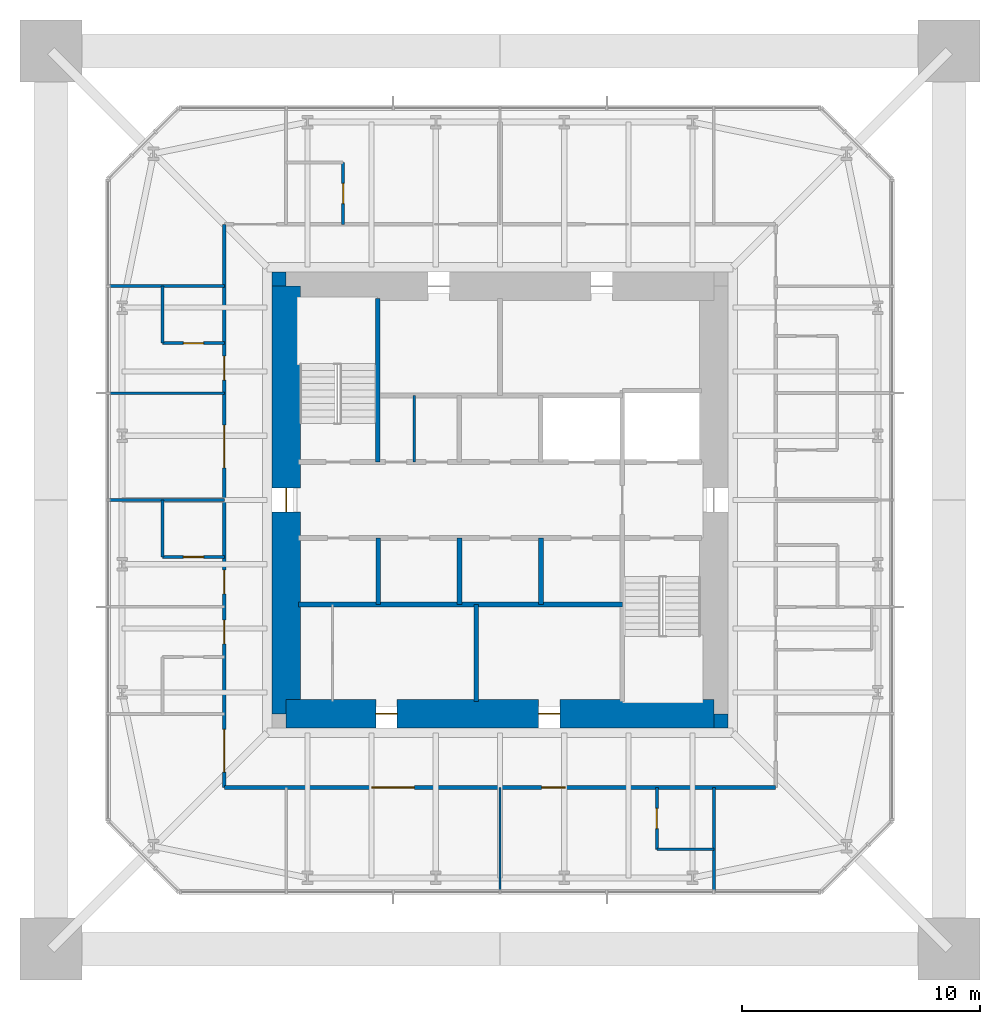
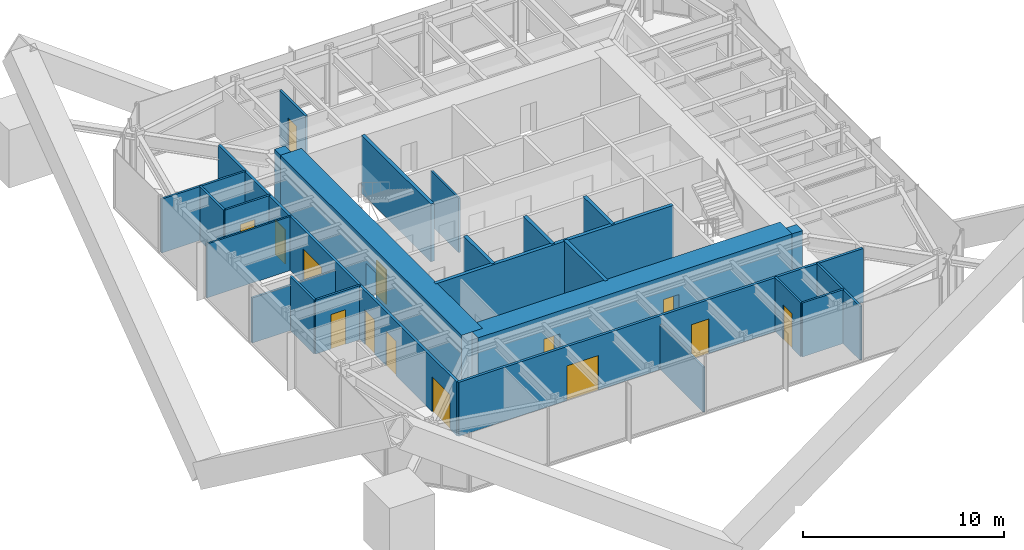
# One storey, part 7 of 10: 25 walls, 14 doors, 14 openings.
"""IFC4 building model written with IfcOpenShell, lengths in metres."""

from ifc_helpers import new_model, si_unit, direction, frame, frame_2d, origin, place, context, subcontext, project, spatial, rectangle, extrude, material, layer, layer_set, type_object, element, fill, save


model = new_model("IFC4")

# Units and contexts
model_context = context("Model", 3, precision=1e-05, world=origin(), true_north=direction((0.0, 1.0)))
body_context = subcontext(model_context, "Body", "Model", "MODEL_VIEW")
ifc_project = project(units=[si_unit("LENGTHUNIT", "METRE"), si_unit("AREAUNIT", "SQUARE_METRE"), si_unit("VOLUMEUNIT", "CUBIC_METRE"), si_unit("PLANEANGLEUNIT", "RADIAN"), si_unit("MASSUNIT", "GRAM", prefix="KILO")], contexts=[model_context])

# Site, building, storey
site_placement = place(None, origin())
site = spatial("IfcSite", under=ifc_project, at=site_placement, CompositionType="ELEMENT")
building_placement = place(site_placement, origin())
building = spatial("IfcBuilding", under=site, at=building_placement, Name="Iwan Alto Co-Living Towers", CompositionType="ELEMENT")
storey_placement = place(building_placement, frame((0.0, 0.0, 260.5)))
storey = spatial("IfcBuildingStorey", under=building, at=storey_placement, Name="L71", CompositionType="ELEMENT", Elevation=260.5)

# Wall, openings, doors
ifc_material_1 = material(Name="Gypsum board")
ifc_layer_1 = layer(ifc_material_1, 0.02490234375, Name="Board", Category="Finish")
ifc_material_2 = material(Name="Steel ASTM A1003 ST33H cold-formed studs", Category="steel")
ifc_layer_2 = layer(ifc_material_2, 0.10009765625, Name="Studs", Category="Framing")
ifc_layer_3 = layer(ifc_material_1, 0.02490234375, Name="Board", Category="Finish")
ifc_layer_set_1 = layer_set([ifc_layer_1, ifc_layer_2, ifc_layer_3], Name="CORRIDOR WALL 150")
wall_type_1 = type_object("IfcWallType", Name="CORRIDOR WALL 150", PredefinedType="PARTITIONING", material=ifc_layer_set_1)
wall_1_placement = place(storey_placement, frame((-11.60009765625, -12.10009765625, 0.0), z_axis=(0.0, 0.0, 1.0), x_axis=(1.0, 0.0, 0.0)))
wall_1 = element("IfcWall", 1, at=wall_1_placement, inside=storey, type_object=wall_type_1, Name="Partition L71", PredefinedType="PARTITIONING", context=body_context, shape_type="SweptSolid", body=[
    extrude(rectangle(XDim=23.2001953125, YDim=0.14990234375, at=frame_2d((11.60009765625, 0.0))), origin(), (0.0, 0.0, 1.0), 3.27001953125),
])
opening_1_placement = place(wall_1_placement, frame((6.199951171875, 0.0, 0.0)))
opening_1 = element("IfcOpeningElement", 2, at=opening_1_placement, cuts=wall_1, Name="Opening D9", PredefinedType="OPENING", context=body_context, shape_type="SweptSolid", body=[
    extrude(rectangle(XDim=1.800048828125, YDim=2.10009765625, at=frame_2d((0.89990234375, 1.050048828125))), frame((0.0, 0.0849609375, 0.0), z_axis=(0.0, -1.0, 0.0), x_axis=(1.0, 0.0, 0.0)), (0.0, 0.0, 1.0), 0.169921875),
])
opening_2_placement = place(wall_1_placement, frame((13.35009765625, 0.0, 0.0)))
opening_2 = element("IfcOpeningElement", 3, at=opening_2_placement, cuts=wall_1, Name="Opening D3", PredefinedType="OPENING", context=body_context, shape_type="SweptSolid", body=[
    extrude(rectangle(XDim=1.0, YDim=2.10009765625, at=frame_2d((0.5, 1.050048828125))), frame((0.0, 0.0849609375, 0.0), z_axis=(0.0, -1.0, 0.0), x_axis=(1.0, 0.0, 0.0)), (0.0, 0.0, 1.0), 0.169921875),
])
ifc_material_3 = material(Name="Steel frame with timber leaf", Category="steel")
door_type_1 = type_object("IfcDoorType", Name="FLAT ENTRANCE DOOR FD30S 1000X2100", OperationType="SINGLE_SWING_LEFT", PredefinedType="DOOR", material=ifc_material_3)
door_1_placement = place(opening_2_placement, frame((1.0, 0.0, 0.0), z_axis=(0.0, 0.0, 1.0), x_axis=(-1.0, 0.0, 0.0)))
door_1 = element("IfcDoor", 4, at=door_1_placement, inside=storey, type_object=door_type_1, Name="Studio door L71", OperationType="SINGLE_SWING_RIGHT", OverallHeight=2.10009765625, OverallWidth=1.0, PredefinedType="DOOR", context=body_context, shape_type="SweptSolid", body=[
    extrude(rectangle(XDim=1.0, YDim=2.10009765625, at=frame_2d((0.5, 1.050048828125))), frame((0.0, 0.02490234375, 0.0), z_axis=(0.0, -1.0, 0.0), x_axis=(1.0, 0.0, 0.0)), (0.0, 0.0, 1.0), 0.050048828125),
])
fill(opening_2, door_1)
ifc_material_4 = material(Name="Steel frame with timber leaf", Category="steel")
door_type_2 = type_object("IfcDoorType", Name="LOUNGE DOOR FD30S 1800X2100", OperationType="DOUBLE_DOOR_SINGLE_SWING", PredefinedType="DOOR", material=ifc_material_4)
door_2_placement = place(opening_1_placement, frame((1.800048828125, 0.0, 0.0), z_axis=(0.0, 0.0, 1.0), x_axis=(-1.0, 0.0, 0.0)))
door_2 = element("IfcDoor", 5, at=door_2_placement, inside=storey, type_object=door_type_2, Name="Residents' club lounge door L71", OperationType="DOUBLE_DOOR_SINGLE_SWING", OverallHeight=2.10009765625, OverallWidth=1.800048828125, PredefinedType="DOOR", context=body_context, shape_type="SweptSolid", body=[
    extrude(rectangle(XDim=1.800048828125, YDim=2.10009765625, at=frame_2d((0.89990234375, 1.050048828125))), frame((0.0, 0.02490234375, 0.0), z_axis=(0.0, -1.0, 0.0), x_axis=(1.0, 0.0, 0.0)), (0.0, 0.0, 1.0), 0.050048828125),
])
fill(opening_1, door_2)

wall_2_placement = place(storey_placement, frame((-11.60009765625, -12.10009765625, 0.0), z_axis=(0.0, 0.0, 1.0), x_axis=(0.0, 1.0, 0.0)))
wall_2 = element("IfcWall", 6, at=wall_2_placement, inside=storey, type_object=wall_type_1, Name="Partition L71", PredefinedType="PARTITIONING", context=body_context, shape_type="SweptSolid", body=[
    extrude(rectangle(XDim=23.7001953125, YDim=0.14990234375, at=frame_2d((11.85009765625, 0.0))), origin(), (0.0, 0.0, 1.0), 3.27001953125),
])
opening_3_placement = place(wall_2_placement, frame((17.14990234375, 0.0, 0.0)))
opening_3 = element("IfcOpeningElement", 7, at=opening_3_placement, cuts=wall_2, Name="Opening D3", PredefinedType="OPENING", context=body_context, shape_type="SweptSolid", body=[
    extrude(rectangle(XDim=1.0, YDim=2.10009765625, at=frame_2d((0.5, 1.050048828125))), frame((0.0, 0.0849609375, 0.0), z_axis=(0.0, -1.0, 0.0), x_axis=(1.0, 0.0, 0.0)), (0.0, 0.0, 1.0), 0.169921875),
])
opening_4_placement = place(wall_2_placement, frame((13.449951171875, 0.0, 0.0)))
opening_4 = element("IfcOpeningElement", 8, at=opening_4_placement, cuts=wall_2, Name="Opening D9", PredefinedType="OPENING", context=body_context, shape_type="SweptSolid", body=[
    extrude(rectangle(XDim=1.800048828125, YDim=2.10009765625, at=frame_2d((0.89990234375, 1.050048828125))), frame((0.0, 0.0849609375, 0.0), z_axis=(0.0, -1.0, 0.0), x_axis=(1.0, 0.0, 0.0)), (0.0, 0.0, 1.0), 0.169921875),
])
opening_5_placement = place(wall_2_placement, frame((8.14990234375, 0.0, 0.0)))
opening_5 = element("IfcOpeningElement", 9, at=opening_5_placement, cuts=wall_2, Name="Opening D3", PredefinedType="OPENING", context=body_context, shape_type="SweptSolid", body=[
    extrude(rectangle(XDim=1.0, YDim=2.10009765625, at=frame_2d((0.5, 1.050048828125))), frame((0.0, 0.0849609375, 0.0), z_axis=(0.0, -1.0, 0.0), x_axis=(1.0, 0.0, 0.0)), (0.0, 0.0, 1.0), 0.169921875),
])
opening_6_placement = place(wall_2_placement, frame((6.050048828125, 0.0, 0.0)))
opening_6 = element("IfcOpeningElement", 10, at=opening_6_placement, cuts=wall_2, Name="Opening D3", PredefinedType="OPENING", context=body_context, shape_type="SweptSolid", body=[
    extrude(rectangle(XDim=1.0, YDim=2.10009765625, at=frame_2d((0.5, 1.050048828125))), frame((0.0, 0.0849609375, 0.0), z_axis=(0.0, -1.0, 0.0), x_axis=(1.0, 0.0, 0.0)), (0.0, 0.0, 1.0), 0.169921875),
])
opening_7_placement = place(wall_2_placement, frame((0.64990234375, 0.0, 0.0)))
opening_7 = element("IfcOpeningElement", 11, at=opening_7_placement, cuts=wall_2, Name="Opening D9", PredefinedType="OPENING", context=body_context, shape_type="SweptSolid", body=[
    extrude(rectangle(XDim=1.800048828125, YDim=2.10009765625, at=frame_2d((0.89990234375, 1.050048828125))), frame((0.0, 0.0849609375, 0.0), z_axis=(0.0, -1.0, 0.0), x_axis=(1.0, 0.0, 0.0)), (0.0, 0.0, 1.0), 0.169921875),
])
door_3_placement = place(opening_3_placement, origin())
door_3 = element("IfcDoor", 12, at=door_3_placement, inside=storey, type_object=door_type_1, Name="Studio door L71", OperationType="SINGLE_SWING_LEFT", OverallHeight=2.10009765625, OverallWidth=1.0, PredefinedType="DOOR", context=body_context, shape_type="SweptSolid", body=[
    extrude(rectangle(XDim=1.0, YDim=2.10009765625, at=frame_2d((0.5, 1.050048828125))), frame((0.0, 0.02490234375, 0.0), z_axis=(0.0, -1.0, 0.0), x_axis=(1.0, 0.0, 0.0)), (0.0, 0.0, 1.0), 0.050048828125),
])
fill(opening_3, door_3)
door_4_placement = place(opening_5_placement, origin())
door_4 = element("IfcDoor", 13, at=door_4_placement, inside=storey, type_object=door_type_1, Name="Studio door L71", OperationType="SINGLE_SWING_LEFT", OverallHeight=2.10009765625, OverallWidth=1.0, PredefinedType="DOOR", context=body_context, shape_type="SweptSolid", body=[
    extrude(rectangle(XDim=1.0, YDim=2.10009765625, at=frame_2d((0.5, 1.050048828125))), frame((0.0, 0.02490234375, 0.0), z_axis=(0.0, -1.0, 0.0), x_axis=(1.0, 0.0, 0.0)), (0.0, 0.0, 1.0), 0.050048828125),
])
fill(opening_5, door_4)
door_5_placement = place(opening_6_placement, origin())
door_5 = element("IfcDoor", 14, at=door_5_placement, inside=storey, type_object=door_type_1, Name="Studio door L71", OperationType="SINGLE_SWING_LEFT", OverallHeight=2.10009765625, OverallWidth=1.0, PredefinedType="DOOR", context=body_context, shape_type="SweptSolid", body=[
    extrude(rectangle(XDim=1.0, YDim=2.10009765625, at=frame_2d((0.5, 1.050048828125))), frame((0.0, 0.02490234375, 0.0), z_axis=(0.0, -1.0, 0.0), x_axis=(1.0, 0.0, 0.0)), (0.0, 0.0, 1.0), 0.050048828125),
])
fill(opening_6, door_5)
door_6_placement = place(opening_4_placement, origin())
door_6 = element("IfcDoor", 15, at=door_6_placement, inside=storey, type_object=door_type_2, Name="Club dining room door L71", OperationType="DOUBLE_DOOR_SINGLE_SWING", OverallHeight=2.10009765625, OverallWidth=1.800048828125, PredefinedType="DOOR", context=body_context, shape_type="SweptSolid", body=[
    extrude(rectangle(XDim=1.800048828125, YDim=2.10009765625, at=frame_2d((0.89990234375, 1.050048828125))), frame((0.0, 0.02490234375, 0.0), z_axis=(0.0, -1.0, 0.0), x_axis=(1.0, 0.0, 0.0)), (0.0, 0.0, 1.0), 0.050048828125),
])
fill(opening_4, door_6)
door_7_placement = place(opening_7_placement, origin())
door_7 = element("IfcDoor", 16, at=door_7_placement, inside=storey, type_object=door_type_2, Name="Courtyard lounge door L71", OperationType="DOUBLE_DOOR_SINGLE_SWING", OverallHeight=2.10009765625, OverallWidth=1.800048828125, PredefinedType="DOOR", context=body_context, shape_type="SweptSolid", body=[
    extrude(rectangle(XDim=1.800048828125, YDim=2.10009765625, at=frame_2d((0.89990234375, 1.050048828125))), frame((0.0, 0.02490234375, 0.0), z_axis=(0.0, -1.0, 0.0), x_axis=(1.0, 0.0, 0.0)), (0.0, 0.0, 1.0), 0.050048828125),
])
fill(opening_7, door_7)

# Walls
ifc_layer_4 = layer(ifc_material_1, 0.012451171875, Name="Board", Category="Finish")
ifc_layer_5 = layer(ifc_material_2, 0.074951171875, Name="Studs", Category="Framing")
ifc_layer_6 = layer(ifc_material_1, 0.012451171875, Name="Board", Category="Finish")
ifc_layer_set_2 = layer_set([ifc_layer_4, ifc_layer_5, ifc_layer_6], Name="PARTITION 100")
wall_type_2 = type_object("IfcWallType", Name="PARTITION 100", PredefinedType="PARTITIONING", material=ifc_layer_set_2)
wall_3_placement = place(storey_placement, frame((-16.43994140625, 4.5, 0.0), z_axis=(0.0, 0.0, 1.0), x_axis=(1.0, 0.0, 0.0)))
element("IfcWall", 17, at=wall_3_placement, inside=storey, type_object=wall_type_2, Name="Partition L71", PredefinedType="PARTITIONING", context=body_context, shape_type="SweptSolid", body=[
    extrude(rectangle(XDim=4.83984375, YDim=0.10009765625, at=frame_2d((2.419921875, 0.0))), origin(), (0.0, 0.0, 1.0), 3.27001953125),
])
wall_4_placement = place(storey_placement, frame((0.0, -16.43994140625, 0.0), z_axis=(0.0, 0.0, 1.0), x_axis=(0.0, 1.0, 0.0)))
element("IfcWall", 18, at=wall_4_placement, inside=storey, type_object=wall_type_2, Name="Partition L71", PredefinedType="PARTITIONING", context=body_context, shape_type="SweptSolid", body=[
    extrude(rectangle(XDim=4.33984375, YDim=0.10009765625, at=frame_2d((2.169921875, 0.0))), origin(), (0.0, 0.0, 1.0), 2.736572265625),
])
wall_5_placement = place(storey_placement, frame((-3.60498046875, 1.60009765625, 0.0), z_axis=(0.0, 0.0, 1.0), x_axis=(0.0, 1.0, 0.0)))
element("IfcWall", 19, at=wall_5_placement, inside=storey, type_object=wall_type_2, Name="Partition L71", PredefinedType="PARTITIONING", context=body_context, shape_type="SweptSolid", body=[
    extrude(rectangle(XDim=2.7998046875, YDim=0.10009765625, at=frame_2d((1.39990234375, 0.0))), origin(), (0.0, 0.0, 1.0), 3.300048828125),
])
ifc_material_5 = material(Name="Concrete f'c 70 MPa", Category="concrete")
ifc_layer_7 = layer(ifc_material_5, 0.199951171875)
ifc_layer_set_3 = layer_set([ifc_layer_7], Name="SHAFT WALL 200")
wall_type_3 = type_object("IfcWallType", Name="SHAFT WALL 200", PredefinedType="SOLIDWALL", material=ifc_layer_set_3)
wall_6_placement = place(storey_placement, frame((-8.489990234375, -4.39990234375, 0.0), z_axis=(0.0, 0.0, 1.0), x_axis=(1.0, 0.0, 0.0)))
element("IfcWall", 20, at=wall_6_placement, inside=storey, type_object=wall_type_3, Name="Shaft wall L71", PredefinedType="SOLIDWALL", context=body_context, shape_type="SweptSolid", body=[
    extrude(rectangle(XDim=13.639892578125, YDim=0.199951171875, at=frame_2d((6.81982421875, 0.0))), origin(), (0.0, 0.0, 1.0), 3.5),
])
wall_7_placement = place(storey_placement, frame((1.72509765625, -4.39990234375, 0.0), z_axis=(0.0, 0.0, 1.0), x_axis=(0.0, 1.0, 0.0)))
element("IfcWall", 21, at=wall_7_placement, inside=storey, type_object=wall_type_3, Name="Shaft wall L71", PredefinedType="SOLIDWALL", context=body_context, shape_type="SweptSolid", body=[
    extrude(rectangle(XDim=2.7998046875, YDim=0.199951171875, at=frame_2d((1.39990234375, 0.0))), origin(), (0.0, 0.0, 1.0), 3.5),
])
wall_8_placement = place(storey_placement, frame((-1.0, -8.489990234375, 0.0), z_axis=(0.0, 0.0, 1.0), x_axis=(0.0, 1.0, 0.0)))
element("IfcWall", 22, at=wall_8_placement, inside=storey, type_object=wall_type_3, Name="Shaft wall L71", PredefinedType="SOLIDWALL", context=body_context, shape_type="SweptSolid", body=[
    extrude(rectangle(XDim=4.090087890625, YDim=0.199951171875, at=frame_2d((2.044921875, 0.0))), origin(), (0.0, 0.0, 1.0), 3.5),
])
for number, where, z_axis, x_axis, name in (
    (23, (-1.699951171875, -4.39990234375, 0.0), (0.0, 0.0, 1.0), (0.0, 1.0, 0.0), "Shaft wall L71"),
    (24, (-5.125, -4.39990234375, 0.0), (0.0, 0.0, 1.0), (0.0, 1.0, 0.0), "Shaft wall L71"),
):
    element("IfcWall", number, at=place(storey_placement, frame(where, z_axis=z_axis, x_axis=x_axis)), inside=storey, type_object=wall_type_3, Name=name, PredefinedType="SOLIDWALL", context=body_context, shape_type="SweptSolid", body=[
        extrude(rectangle(XDim=2.7998046875, YDim=0.199951171875, at=frame_2d((1.39990234375, 0.0))), origin(), (0.0, 0.0, 1.0), 3.5),
    ])
wall_9_placement = place(storey_placement, frame((-5.14990234375, 1.60009765625, 0.0), z_axis=(0.0, 0.0, 1.0), x_axis=(0.0, 1.0, 0.0)))
element("IfcWall", 25, at=wall_9_placement, inside=storey, type_object=wall_type_3, Name="Shaft wall L71", PredefinedType="SOLIDWALL", context=body_context, shape_type="SweptSolid", body=[
    extrude(rectangle(XDim=6.889892578125, YDim=0.199951171875, at=frame_2d((3.44482421875, 0.0))), origin(), (0.0, 0.0, 1.0), 3.5),
])
ifc_material_6 = material(Name="Concrete f'c 70 MPa", Category="concrete")
ifc_layer_8 = layer(ifc_material_6, 0.60009765625)
ifc_layer_set_4 = layer_set([ifc_layer_8], Name="T1 CORE CORNER FILL 600")
wall_type_4 = type_object("IfcWallType", Name="T1 CORE CORNER FILL 600", PredefinedType="SOLIDWALL", material=ifc_layer_set_4)
for number, where, z_axis, x_axis, name in (
    (26, (9.0, -9.300048828125, 0.0), (0.0, 0.0, 1.0), (1.0, 0.0, 0.0), "T1 core corner SE L71"),
    (27, (-9.60009765625, 9.300048828125, 0.0), (0.0, 0.0, 1.0), (1.0, 0.0, 0.0), "T1 core corner NW L71"),
):
    element("IfcWall", number, at=place(storey_placement, frame(where, z_axis=z_axis, x_axis=x_axis)), inside=storey, type_object=wall_type_4, Name=name, PredefinedType="SOLIDWALL", context=body_context, shape_type="SweptSolid", body=[
        extrude(rectangle(XDim=0.60009765625, YDim=0.60009765625, at=frame_2d((0.300048828125, 0.0))), origin(), (0.0, 0.0, 1.0), 3.5),
    ])

# Wall, openings, doors
ifc_material_7 = material(Name="Concrete f'c 70 MPa", Category="concrete")
ifc_layer_9 = layer(ifc_material_7, 1.199951171875)
ifc_layer_set_5 = layer_set([ifc_layer_9], Name="T1 CORE WALL 1200")
wall_type_5 = type_object("IfcWallType", Name="T1 CORE WALL 1200", PredefinedType="SHEAR", material=ifc_layer_set_5)
wall_10_placement = place(storey_placement, frame((-9.0, -9.0, 0.0), z_axis=(0.0, 0.0, 1.0), x_axis=(1.0, 0.0, 0.0)))
wall_10 = element("IfcWall", 28, at=wall_10_placement, inside=storey, type_object=wall_type_5, Name="T1 core wall S L71", PredefinedType="SHEAR", context=body_context, shape_type="SweptSolid", body=[
    extrude(rectangle(XDim=18.0, YDim=1.199951171875, at=frame_2d((9.0, 0.0))), origin(), (0.0, 0.0, 1.0), 3.5),
])
opening_8_placement = place(wall_10_placement, frame((3.77490234375, 0.0, 0.0)))
opening_8 = element("IfcOpeningElement", 29, at=opening_8_placement, cuts=wall_10, Name="Opening D8", PredefinedType="OPENING", context=body_context, shape_type="SweptSolid", body=[
    extrude(rectangle(XDim=0.89990234375, YDim=2.10009765625, at=frame_2d((0.449951171875, 1.050048828125))), frame((0.0, 0.60986328125, 0.0), z_axis=(0.0, -1.0, 0.0), x_axis=(1.0, 0.0, 0.0)), (0.0, 0.0, 1.0), 1.219970703125),
])
opening_9_placement = place(wall_10_placement, frame((10.625, 0.0, 0.0)))
opening_9 = element("IfcOpeningElement", 30, at=opening_9_placement, cuts=wall_10, Name="Opening D8", PredefinedType="OPENING", context=body_context, shape_type="SweptSolid", body=[
    extrude(rectangle(XDim=0.89990234375, YDim=2.10009765625, at=frame_2d((0.449951171875, 1.050048828125))), frame((0.0, 0.60986328125, 0.0), z_axis=(0.0, -1.0, 0.0), x_axis=(1.0, 0.0, 0.0)), (0.0, 0.0, 1.0), 1.219970703125),
])
ifc_material_8 = material(Name="Steel frame with timber leaf", Category="steel")
door_type_3 = type_object("IfcDoorType", Name="RISER DOOR FD120 900X2100", OperationType="SINGLE_SWING_LEFT", PredefinedType="DOOR", material=ifc_material_8)
door_8_placement = place(opening_8_placement, origin())
door_8 = element("IfcDoor", 31, at=door_8_placement, inside=storey, type_object=door_type_3, Name="Refuse room core door L71", OperationType="SINGLE_SWING_LEFT", OverallHeight=2.10009765625, OverallWidth=0.89990234375, PredefinedType="DOOR", context=body_context, shape_type="SweptSolid", body=[
    extrude(rectangle(XDim=0.89990234375, YDim=2.10009765625, at=frame_2d((0.449951171875, 1.050048828125))), frame((0.0, 0.02490234375, 0.0), z_axis=(0.0, -1.0, 0.0), x_axis=(1.0, 0.0, 0.0)), (0.0, 0.0, 1.0), 0.050048828125),
])
fill(opening_8, door_8)
door_9_placement = place(opening_9_placement, origin())
door_9 = element("IfcDoor", 32, at=door_9_placement, inside=storey, type_object=door_type_3, Name="Telecom riser core door L71", OperationType="SINGLE_SWING_LEFT", OverallHeight=2.10009765625, OverallWidth=0.89990234375, PredefinedType="DOOR", context=body_context, shape_type="SweptSolid", body=[
    extrude(rectangle(XDim=0.89990234375, YDim=2.10009765625, at=frame_2d((0.449951171875, 1.050048828125))), frame((0.0, 0.02490234375, 0.0), z_axis=(0.0, -1.0, 0.0), x_axis=(1.0, 0.0, 0.0)), (0.0, 0.0, 1.0), 0.050048828125),
])
fill(opening_9, door_9)

# Wall, opening, door
wall_11_placement = place(storey_placement, frame((-9.0, 9.0, 0.0), z_axis=(0.0, 0.0, 1.0), x_axis=(0.0, -1.0, 0.0)))
wall_11 = element("IfcWall", 33, at=wall_11_placement, inside=storey, type_object=wall_type_5, Name="T1 core wall W L71", PredefinedType="SHEAR", context=body_context, shape_type="SweptSolid", body=[
    extrude(rectangle(XDim=18.0, YDim=1.199951171875, at=frame_2d((9.0, 0.0))), origin(), (0.0, 0.0, 1.0), 3.5),
])
opening_10_placement = place(wall_11_placement, frame((8.5, 0.0, 0.0)))
opening_10 = element("IfcOpeningElement", 34, at=opening_10_placement, cuts=wall_11, Name="Opening D7", PredefinedType="OPENING", context=body_context, shape_type="SweptSolid", body=[
    extrude(rectangle(XDim=1.0, YDim=2.10009765625, at=frame_2d((0.5, 1.050048828125))), frame((0.0, 0.60986328125, 0.0), z_axis=(0.0, -1.0, 0.0), x_axis=(1.0, 0.0, 0.0)), (0.0, 0.0, 1.0), 1.219970703125),
])
ifc_material_9 = material(Name="Steel frame with timber leaf", Category="steel")
door_type_4 = type_object("IfcDoorType", Name="CORE DOOR FD120S 1000X2100", OperationType="SINGLE_SWING_LEFT", PredefinedType="DOOR", material=ifc_material_9)
door_10_placement = place(opening_10_placement, origin())
door_10 = element("IfcDoor", 35, at=door_10_placement, inside=storey, type_object=door_type_4, Name="Lift lobby core door L71", OperationType="SINGLE_SWING_RIGHT", OverallHeight=2.10009765625, OverallWidth=1.0, PredefinedType="DOOR", context=body_context, shape_type="SweptSolid", body=[
    extrude(rectangle(XDim=1.0, YDim=2.10009765625, at=frame_2d((0.5, 1.050048828125))), frame((0.0, 0.02490234375, 0.0), z_axis=(0.0, -1.0, 0.0), x_axis=(1.0, 0.0, 0.0)), (0.0, 0.0, 1.0), 0.050048828125),
])
fill(opening_10, door_10)

# Wall
ifc_material_10 = material(Name="Cement board")
ifc_layer_10 = layer(ifc_material_10, 0.012451171875, Name="Board", Category="Finish")
ifc_layer_11 = layer(ifc_material_2, 0.094970703125, Name="Studs", Category="Framing")
ifc_layer_12 = layer(ifc_material_10, 0.012451171875, Name="Board", Category="Finish")
ifc_layer_set_6 = layer_set([ifc_layer_10, ifc_layer_11, ifc_layer_12], Name="WET AREA PARTITION 120")
wall_type_6 = type_object("IfcWallType", Name="WET AREA PARTITION 120", PredefinedType="PARTITIONING", material=ifc_layer_set_6)
wall_12_placement = place(storey_placement, frame((6.60009765625, -14.699951171875, 0.0), z_axis=(0.0, 0.0, 1.0), x_axis=(1.0, 0.0, 0.0)))
element("IfcWall", 36, at=wall_12_placement, inside=storey, type_object=wall_type_6, Name="Partition L71", PredefinedType="PARTITIONING", context=body_context, shape_type="SweptSolid", body=[
    extrude(rectangle(XDim=2.39990234375, YDim=0.1201171875, at=frame_2d((1.199951171875, 0.0))), origin(), (0.0, 0.0, 1.0), 3.27001953125),
])

# Wall, opening, door
wall_13_placement = place(storey_placement, frame((-14.199951171875, -2.39990234375, 0.0), z_axis=(0.0, 0.0, 1.0), x_axis=(1.0, 0.0, 0.0)))
wall_13 = element("IfcWall", 37, at=wall_13_placement, inside=storey, type_object=wall_type_6, Name="Partition L71", PredefinedType="PARTITIONING", context=body_context, shape_type="SweptSolid", body=[
    extrude(rectangle(XDim=2.599853515625, YDim=0.1201171875, at=frame_2d((1.2998046875, 0.0))), origin(), (0.0, 0.0, 1.0), 3.27001953125),
])
opening_11_placement = place(wall_13_placement, frame((0.875, 0.0, 0.0)))
opening_11 = element("IfcOpeningElement", 38, at=opening_11_placement, cuts=wall_13, Name="Opening D2", PredefinedType="OPENING", context=body_context, shape_type="SweptSolid", body=[
    extrude(rectangle(XDim=0.85009765625, YDim=2.10009765625, at=frame_2d((0.425048828125, 1.050048828125))), frame((0.0, 0.070068359375, 0.0), z_axis=(0.0, -1.0, 0.0), x_axis=(1.0, 0.0, 0.0)), (0.0, 0.0, 1.0), 0.14013671875),
])
ifc_material_11 = material(Name="Timber leaf in steel frame", Category="steel")
door_type_5 = type_object("IfcDoorType", Name="ROOM DOOR 850X2100", OperationType="SINGLE_SWING_LEFT", PredefinedType="DOOR", material=ifc_material_11)
door_11_placement = place(opening_11_placement, frame((0.85009765625, 0.0, 0.0), z_axis=(0.0, 0.0, 1.0), x_axis=(-1.0, 0.0, 0.0)))
door_11 = element("IfcDoor", 39, at=door_11_placement, inside=storey, type_object=door_type_5, Name="En-suite shower room door L71", OperationType="SINGLE_SWING_LEFT", OverallHeight=2.10009765625, OverallWidth=0.85009765625, PredefinedType="DOOR", context=body_context, shape_type="SweptSolid", body=[
    extrude(rectangle(XDim=0.85009765625, YDim=2.10009765625, at=frame_2d((0.425048828125, 1.050048828125))), frame((0.0, 0.02490234375, 0.0), z_axis=(0.0, -1.0, 0.0), x_axis=(1.0, 0.0, 0.0)), (0.0, 0.0, 1.0), 0.050048828125),
])
fill(opening_11, door_11)

# Wall
wall_14_placement = place(storey_placement, frame((-16.43994140625, 0.0, 0.0), z_axis=(0.0, 0.0, 1.0), x_axis=(1.0, 0.0, 0.0)))
element("IfcWall", 40, at=wall_14_placement, inside=storey, type_object=wall_type_6, Name="Partition L71", PredefinedType="PARTITIONING", context=body_context, shape_type="SweptSolid", body=[
    extrude(rectangle(XDim=4.83984375, YDim=0.1201171875, at=frame_2d((2.419921875, 0.0))), origin(), (0.0, 0.0, 1.0), 2.736572265625),
])

# Wall, opening, door
wall_15_placement = place(storey_placement, frame((-14.199951171875, 6.60009765625, 0.0), z_axis=(0.0, 0.0, 1.0), x_axis=(1.0, 0.0, 0.0)))
wall_15 = element("IfcWall", 41, at=wall_15_placement, inside=storey, type_object=wall_type_6, Name="Partition L71", PredefinedType="PARTITIONING", context=body_context, shape_type="SweptSolid", body=[
    extrude(rectangle(XDim=2.599853515625, YDim=0.1201171875, at=frame_2d((1.2998046875, 0.0))), origin(), (0.0, 0.0, 1.0), 3.27001953125),
])
opening_12_placement = place(wall_15_placement, frame((0.875, 0.0, 0.0)))
opening_12 = element("IfcOpeningElement", 42, at=opening_12_placement, cuts=wall_15, Name="Opening D2", PredefinedType="OPENING", context=body_context, shape_type="SweptSolid", body=[
    extrude(rectangle(XDim=0.85009765625, YDim=2.10009765625, at=frame_2d((0.425048828125, 1.050048828125))), frame((0.0, 0.070068359375, 0.0), z_axis=(0.0, -1.0, 0.0), x_axis=(1.0, 0.0, 0.0)), (0.0, 0.0, 1.0), 0.14013671875),
])
door_12_placement = place(opening_12_placement, frame((0.85009765625, 0.0, 0.0), z_axis=(0.0, 0.0, 1.0), x_axis=(-1.0, 0.0, 0.0)))
door_12 = element("IfcDoor", 43, at=door_12_placement, inside=storey, type_object=door_type_5, Name="En-suite shower room door L71", OperationType="SINGLE_SWING_LEFT", OverallHeight=2.10009765625, OverallWidth=0.85009765625, PredefinedType="DOOR", context=body_context, shape_type="SweptSolid", body=[
    extrude(rectangle(XDim=0.85009765625, YDim=2.10009765625, at=frame_2d((0.425048828125, 1.050048828125))), frame((0.0, 0.02490234375, 0.0), z_axis=(0.0, -1.0, 0.0), x_axis=(1.0, 0.0, 0.0)), (0.0, 0.0, 1.0), 0.050048828125),
])
fill(opening_12, door_12)

# Walls
wall_16_placement = place(storey_placement, frame((-16.43994140625, 9.0, 0.0), z_axis=(0.0, 0.0, 1.0), x_axis=(1.0, 0.0, 0.0)))
element("IfcWall", 44, at=wall_16_placement, inside=storey, type_object=wall_type_6, Name="Partition L71", PredefinedType="PARTITIONING", context=body_context, shape_type="SweptSolid", body=[
    extrude(rectangle(XDim=4.83984375, YDim=0.1201171875, at=frame_2d((2.419921875, 0.0))), origin(), (0.0, 0.0, 1.0), 3.27001953125),
])
wall_17_placement = place(storey_placement, frame((9.0, -16.43994140625, 0.0), z_axis=(0.0, 0.0, 1.0), x_axis=(0.0, 1.0, 0.0)))
element("IfcWall", 45, at=wall_17_placement, inside=storey, type_object=wall_type_6, Name="Partition L71", PredefinedType="PARTITIONING", context=body_context, shape_type="SweptSolid", body=[
    extrude(rectangle(XDim=4.33984375, YDim=0.1201171875, at=frame_2d((2.169921875, 0.0))), origin(), (0.0, 0.0, 1.0), 3.27001953125),
])

# Wall, opening, door
wall_18_placement = place(storey_placement, frame((6.60009765625, -14.699951171875, 0.0), z_axis=(0.0, 0.0, 1.0), x_axis=(0.0, 1.0, 0.0)))
wall_18 = element("IfcWall", 46, at=wall_18_placement, inside=storey, type_object=wall_type_6, Name="Partition L71", PredefinedType="PARTITIONING", context=body_context, shape_type="SweptSolid", body=[
    extrude(rectangle(XDim=2.599853515625, YDim=0.1201171875, at=frame_2d((1.2998046875, 0.0))), origin(), (0.0, 0.0, 1.0), 3.27001953125),
])
opening_13_placement = place(wall_18_placement, frame((0.875, 0.0, 0.0)))
opening_13 = element("IfcOpeningElement", 47, at=opening_13_placement, cuts=wall_18, Name="Opening D2", PredefinedType="OPENING", context=body_context, shape_type="SweptSolid", body=[
    extrude(rectangle(XDim=0.85009765625, YDim=2.10009765625, at=frame_2d((0.425048828125, 1.050048828125))), frame((0.0, 0.070068359375, 0.0), z_axis=(0.0, -1.0, 0.0), x_axis=(1.0, 0.0, 0.0)), (0.0, 0.0, 1.0), 0.14013671875),
])
door_13_placement = place(opening_13_placement, origin())
door_13 = element("IfcDoor", 48, at=door_13_placement, inside=storey, type_object=door_type_5, Name="En-suite shower room door L71", OperationType="SINGLE_SWING_RIGHT", OverallHeight=2.10009765625, OverallWidth=0.85009765625, PredefinedType="DOOR", context=body_context, shape_type="SweptSolid", body=[
    extrude(rectangle(XDim=0.85009765625, YDim=2.10009765625, at=frame_2d((0.425048828125, 1.050048828125))), frame((0.0, 0.02490234375, 0.0), z_axis=(0.0, -1.0, 0.0), x_axis=(1.0, 0.0, 0.0)), (0.0, 0.0, 1.0), 0.050048828125),
])
fill(opening_13, door_13)

wall_19_placement = place(storey_placement, frame((-6.60009765625, 11.60009765625, 0.0), z_axis=(0.0, 0.0, 1.0), x_axis=(0.0, 1.0, 0.0)))
wall_19 = element("IfcWall", 49, at=wall_19_placement, inside=storey, type_object=wall_type_6, Name="Partition L71", PredefinedType="PARTITIONING", context=body_context, shape_type="SweptSolid", body=[
    extrude(rectangle(XDim=2.599853515625, YDim=0.1201171875, at=frame_2d((1.2998046875, 0.0))), origin(), (0.0, 0.0, 1.0), 3.27001953125),
])
opening_14_placement = place(wall_19_placement, frame((0.875, 0.0, 0.0)))
opening_14 = element("IfcOpeningElement", 50, at=opening_14_placement, cuts=wall_19, Name="Opening D2", PredefinedType="OPENING", context=body_context, shape_type="SweptSolid", body=[
    extrude(rectangle(XDim=0.85009765625, YDim=2.10009765625, at=frame_2d((0.425048828125, 1.050048828125))), frame((0.0, 0.070068359375, 0.0), z_axis=(0.0, -1.0, 0.0), x_axis=(1.0, 0.0, 0.0)), (0.0, 0.0, 1.0), 0.14013671875),
])
door_14_placement = place(opening_14_placement, frame((0.85009765625, 0.0, 0.0), z_axis=(0.0, 0.0, 1.0), x_axis=(-1.0, 0.0, 0.0)))
door_14 = element("IfcDoor", 51, at=door_14_placement, inside=storey, type_object=door_type_5, Name="En-suite shower room door L71", OperationType="SINGLE_SWING_RIGHT", OverallHeight=2.10009765625, OverallWidth=0.85009765625, PredefinedType="DOOR", context=body_context, shape_type="SweptSolid", body=[
    extrude(rectangle(XDim=0.85009765625, YDim=2.10009765625, at=frame_2d((0.425048828125, 1.050048828125))), frame((0.0, 0.02490234375, 0.0), z_axis=(0.0, -1.0, 0.0), x_axis=(1.0, 0.0, 0.0)), (0.0, 0.0, 1.0), 0.050048828125),
])
fill(opening_14, door_14)

# Walls
for number, where, z_axis, x_axis, name in (
    (52, (-14.199951171875, -2.39990234375, 0.0), (0.0, 0.0, 1.0), (0.0, 1.0, 0.0), "Partition L71"),
    (53, (-14.199951171875, 6.60009765625, 0.0), (0.0, 0.0, 1.0), (0.0, 1.0, 0.0), "Partition L71"),
):
    element("IfcWall", number, at=place(storey_placement, frame(where, z_axis=z_axis, x_axis=x_axis)), inside=storey, type_object=wall_type_6, Name=name, PredefinedType="PARTITIONING", context=body_context, shape_type="SweptSolid", body=[
        extrude(rectangle(XDim=2.39990234375, YDim=0.1201171875, at=frame_2d((1.199951171875, 0.0))), origin(), (0.0, 0.0, 1.0), 3.27001953125),
    ])

save(model, "model.ifc")
